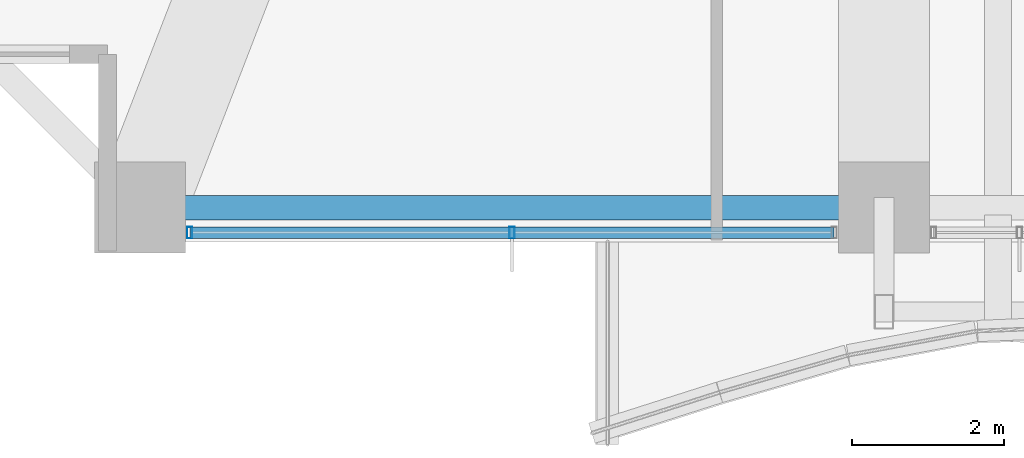
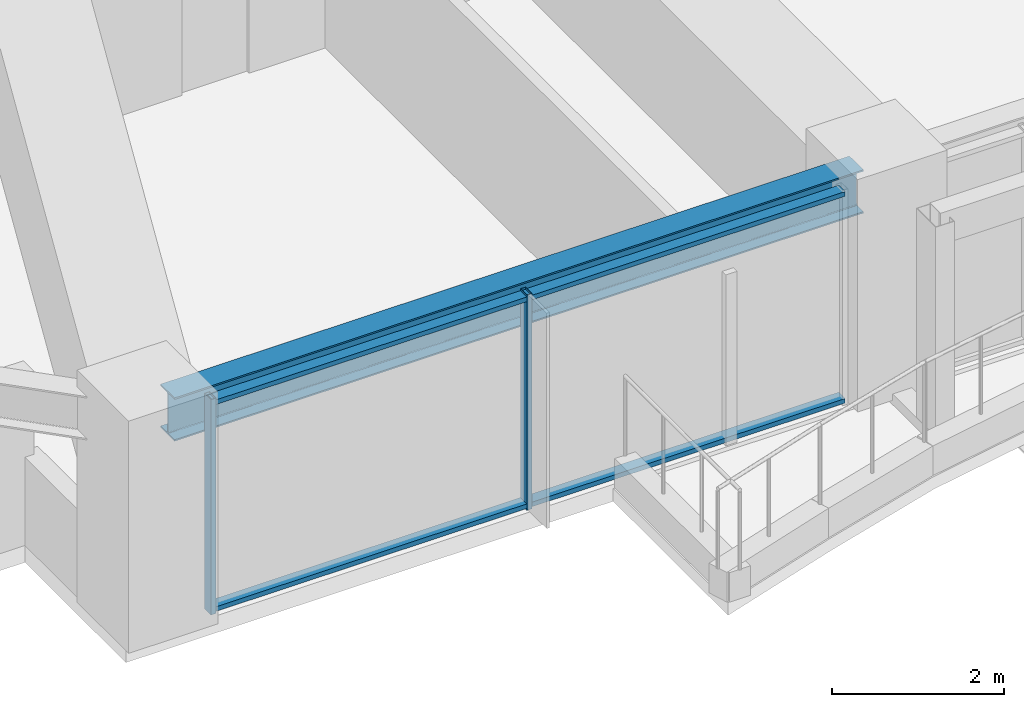
# One storey, part 2 of 37: 4 members, 1 beam, 1 element without a shape of its own.
"""IFC4 building model written with IfcOpenShell, lengths in metres."""

from ifc_helpers import new_model, si_unit, direction, frame, origin, origin_2d, place, context, subcontext, project, spatial, hollow_rectangle, i_section, extrude, material, material_profile, profile_set, type_object, element, aggregate, save


model = new_model("IFC4")

# Units and contexts
model_context = context("Model", 3, precision=1e-05, world=origin(), true_north=direction((0.0, 1.0)))
body_context = subcontext(model_context, "Body", "Model", "MODEL_VIEW")
ifc_project = project(units=[si_unit("LENGTHUNIT", "METRE"), si_unit("AREAUNIT", "SQUARE_METRE"), si_unit("VOLUMEUNIT", "CUBIC_METRE"), si_unit("PLANEANGLEUNIT", "RADIAN"), si_unit("MASSUNIT", "GRAM", prefix="KILO")], contexts=[model_context])

# Site, building, storey
site_placement = place(None, origin())
site = spatial("IfcSite", under=ifc_project, at=site_placement, CompositionType="ELEMENT")
building_placement = place(site_placement, origin())
building = spatial("IfcBuilding", under=site, at=building_placement, Name="Kolvaren Belvedere", CompositionType="ELEMENT")
storey_placement = place(building_placement, frame((0.0, 0.0, 56.800048828125)))
storey = spatial("IfcBuildingStorey", under=building, at=storey_placement, Name="L16", CompositionType="ELEMENT", Elevation=56.800048828125)

# Beam
ifc_material_1 = material(Name="Structural steel ASTM A992 Grade 50", Category="steel")
ifc_material_profile_1 = material_profile(ifc_material_1, i_section(OverallWidth=0.324951171875, OverallDepth=0.615966796875, WebThickness=0.013916015625, FlangeThickness=0.021484375, FilletRadius=0.02001953125, at=origin_2d()), Name="W24X117")
ifc_profile_set_1 = profile_set([ifc_material_profile_1], Name="Structural steel ASTM A992 Grade 50")
beam_type = type_object("IfcBeamType", Name="BM-SPAN-W24X117", PredefinedType="SPANDREL", material=ifc_profile_set_1)
beam_placement = place(storey_placement, frame((-14.1298828125, -21.550048828125, 2.751953125), z_axis=(1.0, 0.0, 0.0), x_axis=(0.0, 1.0, 0.0)))
element("IfcBeam", 1, at=beam_placement, inside=storey, type_object=beam_type, Name="L16 Perimeter Spandrel S1-S2", PredefinedType="SPANDREL", context=body_context, shape_type="SweptSolid", body=[
    extrude(i_section(OverallWidth=0.324951171875, OverallDepth=0.615966796875, WebThickness=0.013916015625, FlangeThickness=0.021484375, FilletRadius=0.02001953125, at=origin_2d()), origin(), (0.0, 0.0, 1.0), 9.259765625),
])

# Curtain wall, members
ifc_material_2 = material(Name="Anodised pale-metal aluminium AA 6063-T6", Category="aluminium")
curtain_wall_type = type_object("IfcCurtainWallType", Name="CW-Z1-LOW", PredefinedType="NOTDEFINED", material=ifc_material_2)
curtain_wall_placement = place(storey_placement, origin())
curtain_wall = element("IfcCurtainWall", 2, at=curtain_wall_placement, inside=storey, type_object=curtain_wall_type, Name="L16 Unitised Curtain Wall FCW-L16-S2-B2", PredefinedType="NOTDEFINED")
ifc_material_3 = material(Name="Anodised pale-metal aluminium AA 6063-T6", Category="aluminium")
ifc_material_profile_2 = material_profile(ifc_material_3, hollow_rectangle(XDim=0.070068359375, YDim=0.14990234375, WallThickness=0.004150390625, at=origin_2d()), Name="ALU-MUL-150X70")
ifc_profile_set_2 = profile_set([ifc_material_profile_2], Name="Anodised pale-metal aluminium AA 6063-T6")
member_type_1 = type_object("IfcMemberType", Name="CW-MUL-150", PredefinedType="MULLION", material=ifc_profile_set_2)
member_1_placement = place(storey_placement, frame((-9.5, -21.8798828125, 0.0), z_axis=(0.0, 0.0, 1.0), x_axis=(1.0, 0.0, 0.0)))
member_1 = element("IfcMember", 3, at=member_1_placement, type_object=member_type_1, Name="FCW-L16-S2-B2 Unitised Mullion 2", PredefinedType="MULLION", context=body_context, shape_type="SweptSolid", body=[
    extrude(hollow_rectangle(XDim=0.070068359375, YDim=0.14990234375, WallThickness=0.004150390625, at=origin_2d()), origin(), (0.0, 0.0, 1.0), 3.06005859375),
])
member_2_placement = place(storey_placement, frame((-13.7451171875, -21.8798828125, 0.0), z_axis=(0.0, 0.0, 1.0), x_axis=(1.0, 0.0, 0.0)))
member_2 = element("IfcMember", 4, at=member_2_placement, type_object=member_type_1, Name="FCW-L16-S2-B2 Unitised Mullion 3", PredefinedType="MULLION", context=body_context, shape_type="SweptSolid", body=[
    extrude(hollow_rectangle(XDim=0.070068359375, YDim=0.14990234375, WallThickness=0.004150390625, at=origin_2d()), origin(), (0.0, 0.0, 1.0), 3.06005859375),
])
ifc_material_4 = material(Name="Anodised pale-metal aluminium AA 6063-T6", Category="aluminium")
ifc_material_profile_3 = material_profile(ifc_material_4, hollow_rectangle(XDim=0.06494140625, YDim=0.14990234375, WallThickness=0.00390625, at=origin_2d()), Name="ALU-TRN-150X65")
ifc_profile_set_3 = profile_set([ifc_material_profile_3], Name="Anodised pale-metal aluminium AA 6063-T6")
member_type_2 = type_object("IfcMemberType", Name="CW-TRN-150", PredefinedType="USERDEFINED", material=ifc_profile_set_3)
member_3_placement = place(storey_placement, frame((-5.2548828125, -21.8798828125, 0.06005859375), z_axis=(-1.0, 0.0, 0.0), x_axis=(0.0, 0.0, 1.0)))
member_3 = element("IfcMember", 5, at=member_3_placement, type_object=member_type_2, Name="FCW-L16-S2-B2 Sill Transom", ObjectType="TRANSOM", PredefinedType="USERDEFINED", context=body_context, shape_type="SweptSolid", body=[
    extrude(hollow_rectangle(XDim=0.06494140625, YDim=0.14990234375, WallThickness=0.00390625, at=origin_2d()), origin(), (0.0, 0.0, 1.0), 8.490234375),
])
member_4_placement = place(storey_placement, frame((-5.2548828125, -21.8798828125, 3.0), z_axis=(-1.0, 0.0, 0.0), x_axis=(0.0, 0.0, 1.0)))
member_4 = element("IfcMember", 6, at=member_4_placement, type_object=member_type_2, Name="FCW-L16-S2-B2 Head Transom", ObjectType="TRANSOM", PredefinedType="USERDEFINED", context=body_context, shape_type="SweptSolid", body=[
    extrude(hollow_rectangle(XDim=0.06494140625, YDim=0.14990234375, WallThickness=0.00390625, at=origin_2d()), origin(), (0.0, 0.0, 1.0), 8.490234375),
])
aggregate(curtain_wall, [member_1, member_2, member_3, member_4])

save(model, "model.ifc")
